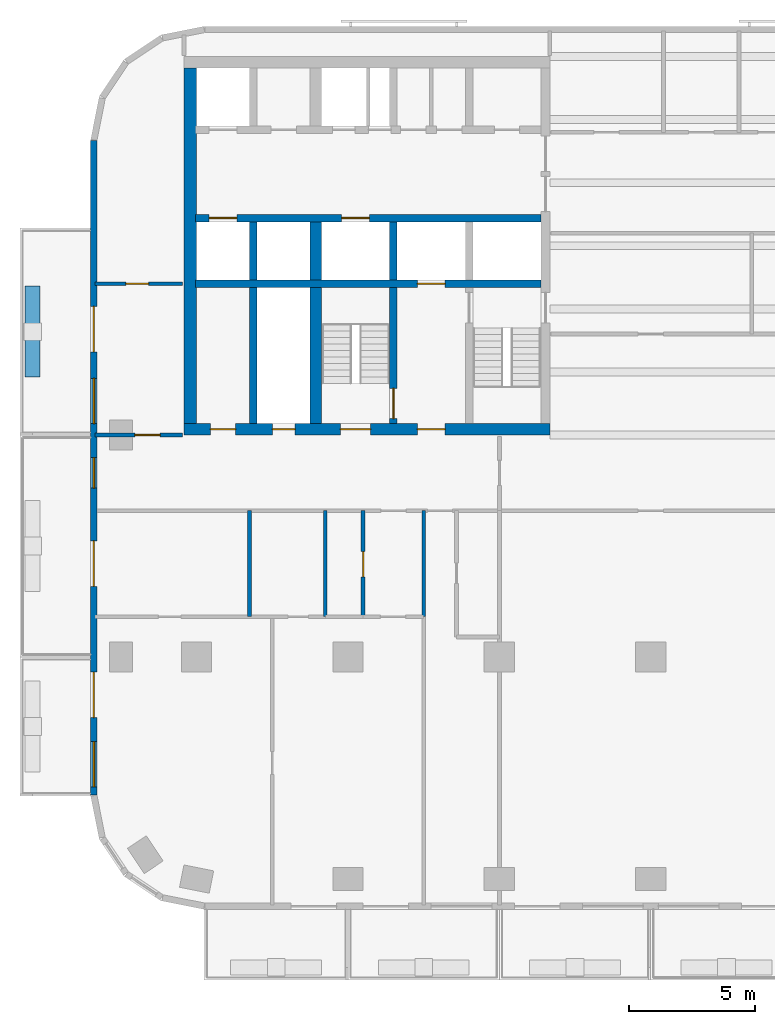
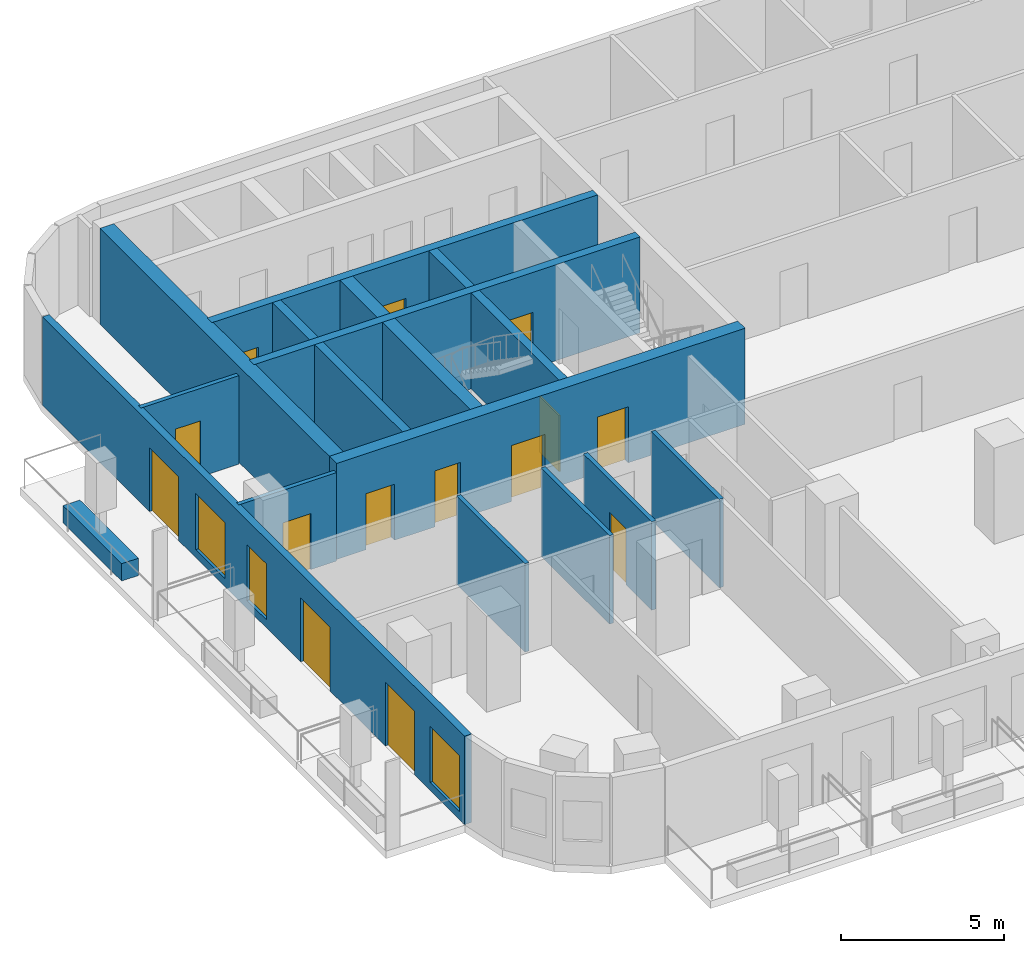
# One storey, part 3 of 11: 18 walls, 14 doors, 3 windows, 17 openings.
"""IFC4 building model written with IfcOpenShell, lengths in metres."""

from ifc_helpers import new_model, si_unit, direction, frame, frame_2d, origin, place, context, subcontext, project, spatial, rectangle, extrude, material, layer, layer_set, type_object, element, fill, save


model = new_model("IFC4")

# Units and contexts
model_context = context("Model", 3, precision=1e-05, world=origin(), true_north=direction((0.0, 1.0)))
body_context = subcontext(model_context, "Body", "Model", "MODEL_VIEW")
ifc_project = project(units=[si_unit("LENGTHUNIT", "METRE"), si_unit("AREAUNIT", "SQUARE_METRE"), si_unit("VOLUMEUNIT", "CUBIC_METRE"), si_unit("PLANEANGLEUNIT", "RADIAN"), si_unit("MASSUNIT", "GRAM", prefix="KILO")], contexts=[model_context])

# Site, building, storey
site_placement = place(None, origin())
site = spatial("IfcSite", under=ifc_project, at=site_placement, CompositionType="ELEMENT")
building_placement = place(site_placement, origin())
building = spatial("IfcBuilding", under=site, at=building_placement, Name="Torana Hotel and Residences", CompositionType="ELEMENT")
storey_placement = place(building_placement, frame((0.0, 0.0, 127.199951171875)))
storey = spatial("IfcBuildingStorey", under=building, at=storey_placement, Name="L32", CompositionType="ELEMENT", Elevation=127.199951171875)

# Wall, openings, doors
ifc_material_1 = material(Name="Concrete C70/85", Category="concrete")
ifc_layer_1 = layer(ifc_material_1, 0.300048828125)
ifc_layer_set_1 = layer_set([ifc_layer_1], Name="CORE WALL 300 C70/85")
wall_type_1 = type_object("IfcWallType", Name="CORE WALL 300 C70/85", PredefinedType="SHEAR", material=ifc_layer_set_1)
wall_1_placement = place(storey_placement, frame((-24.050048828125, -6.39990234375, 0.0), z_axis=(0.0, 0.0, 1.0), x_axis=(1.0, 0.0, 0.0)))
wall_1 = element("IfcWall", 1, at=wall_1_placement, inside=storey, type_object=wall_type_1, Name="Core wall W row-S", PredefinedType="SHEAR", context=body_context, shape_type="SweptSolid", body=[
    extrude(rectangle(XDim=13.699951171875, YDim=0.300048828125, at=frame_2d((6.85009765625, 0.0))), origin(), (0.0, 0.0, 1.0), 3.60009765625),
])
opening_1_placement = place(wall_1_placement, frame((0.550048828125, 0.0, 0.0)))
opening_1 = element("IfcOpeningElement", 2, at=opening_1_placement, cuts=wall_1, Name="Opening LD", PredefinedType="OPENING", context=body_context, shape_type="SweptSolid", body=[
    extrude(rectangle(XDim=1.10009765625, YDim=2.10009765625, at=frame_2d((0.550048828125, 1.050048828125))), frame((0.0, 0.159912109375, 0.0), z_axis=(0.0, -1.0, 0.0), x_axis=(1.0, 0.0, 0.0)), (0.0, 0.0, 1.0), 0.320068359375),
])
opening_2_placement = place(wall_1_placement, frame((5.800048828125, 0.0, 0.0)))
opening_2 = element("IfcOpeningElement", 3, at=opening_2_placement, cuts=wall_1, Name="Opening LD", PredefinedType="OPENING", context=body_context, shape_type="SweptSolid", body=[
    extrude(rectangle(XDim=1.10009765625, YDim=2.10009765625, at=frame_2d((0.550048828125, 1.050048828125))), frame((0.0, 0.159912109375, 0.0), z_axis=(0.0, -1.0, 0.0), x_axis=(1.0, 0.0, 0.0)), (0.0, 0.0, 1.0), 0.320068359375),
])
ifc_material_2 = material(Name="Stainless steel 316", Category="steel")
door_type_1 = type_object("IfcDoorType", Name="LIFT LANDING DOOR LD 1100x2100", OperationType="DOUBLE_DOOR_SLIDING", PredefinedType="USERDEFINED", material=ifc_material_2)
door_1_placement = place(opening_1_placement, origin())
door_1 = element("IfcDoor", 4, at=door_1_placement, inside=storey, type_object=door_type_1, Name="Lift landing door M2 L32", ObjectType="LIFT LANDING DOOR", OperationType="DOUBLE_DOOR_SLIDING", OverallHeight=2.10009765625, OverallWidth=1.10009765625, PredefinedType="USERDEFINED", context=body_context, shape_type="SweptSolid", body=[
    extrude(rectangle(XDim=1.10009765625, YDim=2.10009765625, at=frame_2d((0.550048828125, 1.050048828125))), frame((0.0, 0.02490234375, 0.0), z_axis=(0.0, -1.0, 0.0), x_axis=(1.0, 0.0, 0.0)), (0.0, 0.0, 1.0), 0.050048828125),
])
fill(opening_1, door_1)
door_2_placement = place(opening_2_placement, origin())
door_2 = element("IfcDoor", 5, at=door_2_placement, inside=storey, type_object=door_type_1, Name="Lift landing door SV1 L32", ObjectType="LIFT LANDING DOOR", OperationType="DOUBLE_DOOR_SLIDING", OverallHeight=2.10009765625, OverallWidth=1.10009765625, PredefinedType="USERDEFINED", context=body_context, shape_type="SweptSolid", body=[
    extrude(rectangle(XDim=1.10009765625, YDim=2.10009765625, at=frame_2d((0.550048828125, 1.050048828125))), frame((0.0, 0.02490234375, 0.0), z_axis=(0.0, -1.0, 0.0), x_axis=(1.0, 0.0, 0.0)), (0.0, 0.0, 1.0), 0.050048828125),
])
fill(opening_2, door_2)

# Wall, opening, door
wall_2_placement = place(storey_placement, frame((-24.050048828125, -9.0, 0.0), z_axis=(0.0, 0.0, 1.0), x_axis=(1.0, 0.0, 0.0)))
wall_2 = element("IfcWall", 6, at=wall_2_placement, inside=storey, type_object=wall_type_1, Name="Core wall W band", PredefinedType="SHEAR", context=body_context, shape_type="SweptSolid", body=[
    extrude(rectangle(XDim=13.699951171875, YDim=0.300048828125, at=frame_2d((6.85009765625, 0.0))), origin(), (0.0, 0.0, 1.0), 3.60009765625),
])
opening_3_placement = place(wall_2_placement, frame((8.800048828125, 0.0, 0.0)))
opening_3 = element("IfcOpeningElement", 7, at=opening_3_placement, cuts=wall_2, Name="Opening LD", PredefinedType="OPENING", context=body_context, shape_type="SweptSolid", body=[
    extrude(rectangle(XDim=1.10009765625, YDim=2.10009765625, at=frame_2d((0.550048828125, 1.050048828125))), frame((0.0, 0.159912109375, 0.0), z_axis=(0.0, -1.0, 0.0), x_axis=(1.0, 0.0, 0.0)), (0.0, 0.0, 1.0), 0.320068359375),
])
door_3_placement = place(opening_3_placement, origin())
door_3 = element("IfcDoor", 8, at=door_3_placement, inside=storey, type_object=door_type_1, Name="Lift landing door FF1 L32", ObjectType="LIFT LANDING DOOR", OperationType="DOUBLE_DOOR_SLIDING", OverallHeight=2.10009765625, OverallWidth=1.10009765625, PredefinedType="USERDEFINED", context=body_context, shape_type="SweptSolid", body=[
    extrude(rectangle(XDim=1.10009765625, YDim=2.10009765625, at=frame_2d((0.550048828125, 1.050048828125))), frame((0.0, 0.02490234375, 0.0), z_axis=(0.0, -1.0, 0.0), x_axis=(1.0, 0.0, 0.0)), (0.0, 0.0, 1.0), 0.050048828125),
])
fill(opening_3, door_3)

# Wall
wall_3_placement = place(storey_placement, frame((-16.199951171875, -8.85009765625, 0.0), z_axis=(0.0, 0.0, 1.0), x_axis=(0.0, 1.0, 0.0)))
element("IfcWall", 9, at=wall_3_placement, inside=storey, type_object=wall_type_1, Name="Core wall W x6.05-S", PredefinedType="SHEAR", context=body_context, shape_type="SweptSolid", body=[
    extrude(rectangle(XDim=2.300048828125, YDim=0.300048828125, at=frame_2d((1.14990234375, 0.0))), origin(), (0.0, 0.0, 1.0), 3.60009765625),
])

# Wall, opening, door
wall_4_placement = place(storey_placement, frame((-16.199951171875, -14.550048828125, 0.0), z_axis=(0.0, 0.0, 1.0), x_axis=(0.0, 1.0, 0.0)))
wall_4 = element("IfcWall", 10, at=wall_4_placement, inside=storey, type_object=wall_type_1, Name="Core wall W x6.05-band", PredefinedType="SHEAR", context=body_context, shape_type="SweptSolid", body=[
    extrude(rectangle(XDim=5.400146484375, YDim=0.300048828125, at=frame_2d((2.7001953125, 0.0))), origin(), (0.0, 0.0, 1.0), 3.60009765625),
])
opening_4_placement = place(wall_4_placement, frame((0.199951171875, 0.0, 0.0)))
opening_4 = element("IfcOpeningElement", 11, at=opening_4_placement, cuts=wall_4, Name="Opening L32-15", PredefinedType="OPENING", context=body_context, shape_type="SweptSolid", body=[
    extrude(rectangle(XDim=1.199951171875, YDim=2.10009765625, at=frame_2d((0.60009765625, 1.050048828125))), frame((0.0, 0.159912109375, 0.0), z_axis=(0.0, -1.0, 0.0), x_axis=(1.0, 0.0, 0.0)), (0.0, 0.0, 1.0), 0.320068359375),
])
ifc_material_3 = material(Name="Steel S235", Category="steel")
door_type_2 = type_object("IfcDoorType", Name="STAIR FIRE DOOR D3 1200x2100", OperationType="SINGLE_SWING_LEFT", PredefinedType="DOOR", material=ifc_material_3)
door_4_placement = place(opening_4_placement, origin())
door_4 = element("IfcDoor", 12, at=door_4_placement, inside=storey, type_object=door_type_2, Name="Stair-B-lobby door L32", OperationType="SINGLE_SWING_RIGHT", OverallHeight=2.10009765625, OverallWidth=1.199951171875, PredefinedType="DOOR", context=body_context, shape_type="SweptSolid", body=[
    extrude(rectangle(XDim=1.199951171875, YDim=2.10009765625, at=frame_2d((0.60009765625, 1.050048828125))), frame((0.0, 0.02490234375, 0.0), z_axis=(0.0, -1.0, 0.0), x_axis=(1.0, 0.0, 0.0)), (0.0, 0.0, 1.0), 0.050048828125),
])
fill(opening_4, door_4)

# Walls
wall_5_placement = place(storey_placement, frame((-21.75, -8.85009765625, 0.0), z_axis=(0.0, 0.0, 1.0), x_axis=(0.0, 1.0, 0.0)))
element("IfcWall", 13, at=wall_5_placement, inside=storey, type_object=wall_type_1, Name="Core wall W mm-S", PredefinedType="SHEAR", context=body_context, shape_type="SweptSolid", body=[
    extrude(rectangle(XDim=2.300048828125, YDim=0.300048828125, at=frame_2d((1.14990234375, 0.0))), origin(), (0.0, 0.0, 1.0), 3.60009765625),
])
wall_6_placement = place(storey_placement, frame((-21.75, -14.550048828125, 0.0), z_axis=(0.0, 0.0, 1.0), x_axis=(0.0, 1.0, 0.0)))
element("IfcWall", 14, at=wall_6_placement, inside=storey, type_object=wall_type_1, Name="Core wall W mm-band", PredefinedType="SHEAR", context=body_context, shape_type="SweptSolid", body=[
    extrude(rectangle(XDim=5.400146484375, YDim=0.300048828125, at=frame_2d((2.7001953125, 0.0))), origin(), (0.0, 0.0, 1.0), 3.60009765625),
])

# Wall, openings, doors
ifc_material_4 = material(Name="Concrete C70/85", Category="concrete")
ifc_layer_2 = layer(ifc_material_4, 0.449951171875)
ifc_layer_set_2 = layer_set([ifc_layer_2], Name="CORE WALL 450 C70/85")
wall_type_2 = type_object("IfcWallType", Name="CORE WALL 450 C70/85", PredefinedType="SHEAR", material=ifc_layer_set_2)
wall_7_placement = place(storey_placement, frame((-24.5, -14.77490234375, 0.0), z_axis=(0.0, 0.0, 1.0), x_axis=(1.0, 0.0, 0.0)))
wall_7 = element("IfcWall", 15, at=wall_7_placement, inside=storey, type_object=wall_type_2, Name="Core wall W front", PredefinedType="SHEAR", context=body_context, shape_type="SweptSolid", body=[
    extrude(rectangle(XDim=14.5, YDim=0.449951171875, at=frame_2d((7.25, 0.0))), origin(), (0.0, 0.0, 1.0), 3.60009765625),
])
opening_5_placement = place(wall_7_placement, frame((6.199951171875, 0.0, 0.0)))
opening_5 = element("IfcOpeningElement", 16, at=opening_5_placement, cuts=wall_7, Name="Opening L32-04", PredefinedType="OPENING", context=body_context, shape_type="SweptSolid", body=[
    extrude(rectangle(XDim=1.199951171875, YDim=2.10009765625, at=frame_2d((0.60009765625, 1.050048828125))), frame((0.0, 0.23486328125, 0.0), z_axis=(0.0, -1.0, 0.0), x_axis=(1.0, 0.0, 0.0)), (0.0, 0.0, 1.0), 0.469970703125),
])
opening_6_placement = place(wall_7_placement, frame((9.25, 0.0, 0.0)))
opening_6 = element("IfcOpeningElement", 17, at=opening_6_placement, cuts=wall_7, Name="Opening L32-05", PredefinedType="OPENING", context=body_context, shape_type="SweptSolid", body=[
    extrude(rectangle(XDim=1.10009765625, YDim=2.10009765625, at=frame_2d((0.550048828125, 1.050048828125))), frame((0.0, 0.23486328125, 0.0), z_axis=(0.0, -1.0, 0.0), x_axis=(1.0, 0.0, 0.0)), (0.0, 0.0, 1.0), 0.469970703125),
])
opening_7_placement = place(wall_7_placement, frame((3.5, 0.0, 0.0)))
opening_7 = element("IfcOpeningElement", 18, at=opening_7_placement, cuts=wall_7, Name="Opening L32-06", PredefinedType="OPENING", context=body_context, shape_type="SweptSolid", body=[
    extrude(rectangle(XDim=0.89990234375, YDim=2.10009765625, at=frame_2d((0.449951171875, 1.050048828125))), frame((0.0, 0.23486328125, 0.0), z_axis=(0.0, -1.0, 0.0), x_axis=(1.0, 0.0, 0.0)), (0.0, 0.0, 1.0), 0.469970703125),
])
opening_8_placement = place(wall_7_placement, frame((1.050048828125, 0.0, 0.0)))
opening_8 = element("IfcOpeningElement", 19, at=opening_8_placement, cuts=wall_7, Name="Opening L32-07", PredefinedType="OPENING", context=body_context, shape_type="SweptSolid", body=[
    extrude(rectangle(XDim=1.0, YDim=2.10009765625, at=frame_2d((0.5, 1.050048828125))), frame((0.0, 0.23486328125, 0.0), z_axis=(0.0, -1.0, 0.0), x_axis=(1.0, 0.0, 0.0)), (0.0, 0.0, 1.0), 0.469970703125),
])
ifc_material_5 = material(Name="Steel S235", Category="steel")
door_type_3 = type_object("IfcDoorType", Name="CORE ROOM FIRE DOOR D14 1000x2100", OperationType="SINGLE_SWING_LEFT", PredefinedType="DOOR", material=ifc_material_5)
door_5_placement = place(opening_8_placement, origin())
door_5 = element("IfcDoor", 20, at=door_5_placement, inside=storey, type_object=door_type_3, Name="M-Room door L32", OperationType="SINGLE_SWING_RIGHT", OverallHeight=2.10009765625, OverallWidth=1.0, PredefinedType="DOOR", context=body_context, shape_type="SweptSolid", body=[
    extrude(rectangle(XDim=1.0, YDim=2.10009765625, at=frame_2d((0.5, 1.050048828125))), frame((0.0, 0.02490234375, 0.0), z_axis=(0.0, -1.0, 0.0), x_axis=(1.0, 0.0, 0.0)), (0.0, 0.0, 1.0), 0.050048828125),
])
fill(opening_8, door_5)
ifc_material_6 = material(Name="Steel S235", Category="steel")
door_type_4 = type_object("IfcDoorType", Name="FIRE-FIGHTING LOBBY DOOR D8 1100x2100", OperationType="SINGLE_SWING_LEFT", PredefinedType="DOOR", material=ifc_material_6)
door_6_placement = place(opening_6_placement, origin())
door_6 = element("IfcDoor", 21, at=door_6_placement, inside=storey, type_object=door_type_4, Name="FF-lobby door L32", OperationType="SINGLE_SWING_RIGHT", OverallHeight=2.10009765625, OverallWidth=1.10009765625, PredefinedType="DOOR", context=body_context, shape_type="SweptSolid", body=[
    extrude(rectangle(XDim=1.10009765625, YDim=2.10009765625, at=frame_2d((0.550048828125, 1.050048828125))), frame((0.0, 0.02490234375, 0.0), z_axis=(0.0, -1.0, 0.0), x_axis=(1.0, 0.0, 0.0)), (0.0, 0.0, 1.0), 0.050048828125),
])
fill(opening_6, door_6)
ifc_material_7 = material(Name="Steel S235", Category="steel")
door_type_5 = type_object("IfcDoorType", Name="RISER ACCESS DOOR D5 900x2100", OperationType="SINGLE_SWING_LEFT", PredefinedType="DOOR", material=ifc_material_7)
door_7_placement = place(opening_7_placement, origin())
door_7 = element("IfcDoor", 22, at=door_7_placement, inside=storey, type_object=door_type_5, Name="M-Riser door L32", OperationType="SINGLE_SWING_RIGHT", OverallHeight=2.10009765625, OverallWidth=0.89990234375, PredefinedType="DOOR", context=body_context, shape_type="SweptSolid", body=[
    extrude(rectangle(XDim=0.89990234375, YDim=2.10009765625, at=frame_2d((0.449951171875, 1.050048828125))), frame((0.0, 0.02490234375, 0.0), z_axis=(0.0, -1.0, 0.0), x_axis=(1.0, 0.0, 0.0)), (0.0, 0.0, 1.0), 0.050048828125),
])
fill(opening_7, door_7)
door_8_placement = place(opening_5_placement, origin())
door_8 = element("IfcDoor", 23, at=door_8_placement, inside=storey, type_object=door_type_2, Name="Stair-B door L32", OperationType="SINGLE_SWING_RIGHT", OverallHeight=2.10009765625, OverallWidth=1.199951171875, PredefinedType="DOOR", context=body_context, shape_type="SweptSolid", body=[
    extrude(rectangle(XDim=1.199951171875, YDim=2.10009765625, at=frame_2d((0.60009765625, 1.050048828125))), frame((0.0, 0.02490234375, 0.0), z_axis=(0.0, -1.0, 0.0), x_axis=(1.0, 0.0, 0.0)), (0.0, 0.0, 1.0), 0.050048828125),
])
fill(opening_5, door_8)

# Walls
wall_8_placement = place(storey_placement, frame((-19.27490234375, -8.85009765625, 0.0), z_axis=(0.0, 0.0, 1.0), x_axis=(0.0, 1.0, 0.0)))
element("IfcWall", 24, at=wall_8_placement, inside=storey, type_object=wall_type_2, Name="Core wall W hm-S", PredefinedType="SHEAR", context=body_context, shape_type="SweptSolid", body=[
    extrude(rectangle(XDim=2.300048828125, YDim=0.449951171875, at=frame_2d((1.14990234375, 0.0))), origin(), (0.0, 0.0, 1.0), 3.60009765625),
])
wall_9_placement = place(storey_placement, frame((-19.27490234375, -14.550048828125, 0.0), z_axis=(0.0, 0.0, 1.0), x_axis=(0.0, 1.0, 0.0)))
element("IfcWall", 25, at=wall_9_placement, inside=storey, type_object=wall_type_2, Name="Core wall W hm-band", PredefinedType="SHEAR", context=body_context, shape_type="SweptSolid", body=[
    extrude(rectangle(XDim=5.400146484375, YDim=0.449951171875, at=frame_2d((2.7001953125, 0.0))), origin(), (0.0, 0.0, 1.0), 3.60009765625),
])
ifc_material_8 = material(Name="Concrete C70/85", Category="concrete")
ifc_layer_3 = layer(ifc_material_8, 0.5)
ifc_layer_set_3 = layer_set([ifc_layer_3], Name="CORE WALL 500 C70/85")
wall_type_3 = type_object("IfcWallType", Name="CORE WALL 500 C70/85", PredefinedType="SHEAR", material=ifc_layer_set_3)
wall_10_placement = place(storey_placement, frame((-24.25, -14.550048828125, 0.0), z_axis=(0.0, 0.0, 1.0), x_axis=(0.0, 1.0, 0.0)))
element("IfcWall", 26, at=wall_10_placement, inside=storey, type_object=wall_type_3, Name="Core wall W outer", PredefinedType="SHEAR", context=body_context, shape_type="SweptSolid", body=[
    extrude(rectangle(XDim=14.10009765625, YDim=0.5, at=frame_2d((7.050048828125, 0.0))), origin(), (0.0, 0.0, 1.0), 3.60009765625),
])

# Wall, openings, doors, windows
ifc_material_9 = material(Name="Black aluminium composite panel", Category="aluminium")
ifc_layer_4 = layer(ifc_material_9, 0.00390625, Name="Cladding", Category="cladding")
ifc_material_10 = material(Name="Ventilated air cavity")
ifc_layer_5 = layer(ifc_material_10, 0.0400390625, Name="Ventilated cavity", Category="cavity")
ifc_material_11 = material(Name="Mineral wool insulation")
ifc_layer_6 = layer(ifc_material_11, 0.090087890625, Name="Insulation", Category="insulation")
ifc_material_12 = material(Name="Steel S280GD", Category="steel")
ifc_layer_7 = layer(ifc_material_12, 0.092041015625, Name="Steel stud frame", Category="structure")
ifc_material_13 = material(Name="Fire rated plasterboard")
ifc_layer_8 = layer(ifc_material_13, 0.011962890625, Name="Inner board", Category="finish")
ifc_layer_9 = layer(ifc_material_13, 0.011962890625, Name="Second board", Category="finish")
ifc_layer_set_4 = layer_set([ifc_layer_4, ifc_layer_5, ifc_layer_6, ifc_layer_7, ifc_layer_8, ifc_layer_9], Name="EW1 EXTERNAL WALL BLACK METAL CLAD 250")
wall_type_4 = type_object("IfcWallType", Name="EW1 EXTERNAL WALL BLACK METAL CLAD 250", PredefinedType="SOLIDWALL", material=ifc_layer_set_4)
wall_11_placement = place(storey_placement, frame((-28.074951171875, -3.32470703125, 0.0), z_axis=(0.0, 0.0, 1.0), x_axis=(0.0, -1.0, 0.0)))
wall_11 = element("IfcWall", 27, at=wall_11_placement, inside=storey, type_object=wall_type_4, Name="External wall L32 e0.9", PredefinedType="SOLIDWALL", context=body_context, shape_type="SweptSolid", body=[
    extrude(rectangle(XDim=25.95068359375, YDim=0.25, at=frame_2d((12.975341796875, 0.0))), origin(), (0.0, 0.0, 1.0), 3.320068359375),
])
opening_9_placement = place(wall_11_placement, frame((6.575439453125, 0.0, 0.0)))
opening_9 = element("IfcOpeningElement", 28, at=opening_9_placement, cuts=wall_11, Name="Opening L32-E12", PredefinedType="OPENING", context=body_context, shape_type="SweptSolid", body=[
    extrude(rectangle(XDim=1.800048828125, YDim=2.39990234375, at=frame_2d((0.89990234375, 1.199951171875))), frame((0.0, 0.135009765625, 0.0), z_axis=(0.0, -1.0, 0.0), x_axis=(1.0, 0.0, 0.0)), (0.0, 0.0, 1.0), 0.27001953125),
])
opening_10_placement = place(wall_11_placement, frame((9.42529296875, 0.0, 0.300048828125)))
opening_10 = element("IfcOpeningElement", 29, at=opening_10_placement, cuts=wall_11, Name="Opening W2", PredefinedType="OPENING", context=body_context, shape_type="SweptSolid", body=[
    extrude(rectangle(XDim=1.800048828125, YDim=2.10009765625, at=frame_2d((0.89990234375, 1.050048828125))), frame((0.0, 0.135009765625, 0.0), z_axis=(0.0, -1.0, 0.0), x_axis=(1.0, 0.0, 0.0)), (0.0, 0.0, 1.0), 0.27001953125),
])
opening_11_placement = place(wall_11_placement, frame((12.575439453125, 0.0, 0.300048828125)))
opening_11 = element("IfcOpeningElement", 30, at=opening_11_placement, cuts=wall_11, Name="Opening W7", PredefinedType="OPENING", context=body_context, shape_type="SweptSolid", body=[
    extrude(rectangle(XDim=1.199951171875, YDim=2.10009765625, at=frame_2d((0.60009765625, 1.050048828125))), frame((0.0, 0.135009765625, 0.0), z_axis=(0.0, -1.0, 0.0), x_axis=(1.0, 0.0, 0.0)), (0.0, 0.0, 1.0), 0.27001953125),
])
opening_12_placement = place(wall_11_placement, frame((15.87548828125, 0.0, 0.0)))
opening_12 = element("IfcOpeningElement", 31, at=opening_12_placement, cuts=wall_11, Name="Opening L32-E13", PredefinedType="OPENING", context=body_context, shape_type="SweptSolid", body=[
    extrude(rectangle(XDim=1.800048828125, YDim=2.39990234375, at=frame_2d((0.89990234375, 1.199951171875))), frame((0.0, 0.135009765625, 0.0), z_axis=(0.0, -1.0, 0.0), x_axis=(1.0, 0.0, 0.0)), (0.0, 0.0, 1.0), 0.27001953125),
])
opening_13_placement = place(wall_11_placement, frame((21.075439453125, 0.0, 0.0)))
opening_13 = element("IfcOpeningElement", 32, at=opening_13_placement, cuts=wall_11, Name="Opening L32-E14", PredefinedType="OPENING", context=body_context, shape_type="SweptSolid", body=[
    extrude(rectangle(XDim=1.800048828125, YDim=2.39990234375, at=frame_2d((0.89990234375, 1.199951171875))), frame((0.0, 0.135009765625, 0.0), z_axis=(0.0, -1.0, 0.0), x_axis=(1.0, 0.0, 0.0)), (0.0, 0.0, 1.0), 0.27001953125),
])
opening_14_placement = place(wall_11_placement, frame((23.825439453125, 0.0, 0.300048828125)))
opening_14 = element("IfcOpeningElement", 33, at=opening_14_placement, cuts=wall_11, Name="Opening W2", PredefinedType="OPENING", context=body_context, shape_type="SweptSolid", body=[
    extrude(rectangle(XDim=1.800048828125, YDim=2.10009765625, at=frame_2d((0.89990234375, 1.050048828125))), frame((0.0, 0.135009765625, 0.0), z_axis=(0.0, -1.0, 0.0), x_axis=(1.0, 0.0, 0.0)), (0.0, 0.0, 1.0), 0.27001953125),
])
ifc_material_14 = material(Name="Dark glass in black aluminium frame", Category="aluminium")
door_type_6 = type_object("IfcDoorType", Name="DB1 BALCONY DOOR 1800x2400", OperationType="DOUBLE_DOOR_SINGLE_SWING", PredefinedType="DOOR", material=ifc_material_14)
door_9_placement = place(opening_9_placement, origin())
door_9 = element("IfcDoor", 34, at=door_9_placement, inside=storey, type_object=door_type_6, Name="Balcony door L32", OperationType="DOUBLE_DOOR_SINGLE_SWING", OverallHeight=2.39990234375, OverallWidth=1.800048828125, PredefinedType="DOOR", context=body_context, shape_type="SweptSolid", body=[
    extrude(rectangle(XDim=1.800048828125, YDim=2.39990234375, at=frame_2d((0.89990234375, 1.199951171875))), frame((0.0, 0.02490234375, 0.0), z_axis=(0.0, -1.0, 0.0), x_axis=(1.0, 0.0, 0.0)), (0.0, 0.0, 1.0), 0.050048828125),
])
fill(opening_9, door_9)
door_10_placement = place(opening_12_placement, origin())
door_10 = element("IfcDoor", 35, at=door_10_placement, inside=storey, type_object=door_type_6, Name="Balcony door L32", OperationType="DOUBLE_DOOR_SINGLE_SWING", OverallHeight=2.39990234375, OverallWidth=1.800048828125, PredefinedType="DOOR", context=body_context, shape_type="SweptSolid", body=[
    extrude(rectangle(XDim=1.800048828125, YDim=2.39990234375, at=frame_2d((0.89990234375, 1.199951171875))), frame((0.0, 0.02490234375, 0.0), z_axis=(0.0, -1.0, 0.0), x_axis=(1.0, 0.0, 0.0)), (0.0, 0.0, 1.0), 0.050048828125),
])
fill(opening_12, door_10)
door_11_placement = place(opening_13_placement, origin())
door_11 = element("IfcDoor", 36, at=door_11_placement, inside=storey, type_object=door_type_6, Name="Balcony door L32", OperationType="DOUBLE_DOOR_SINGLE_SWING", OverallHeight=2.39990234375, OverallWidth=1.800048828125, PredefinedType="DOOR", context=body_context, shape_type="SweptSolid", body=[
    extrude(rectangle(XDim=1.800048828125, YDim=2.39990234375, at=frame_2d((0.89990234375, 1.199951171875))), frame((0.0, 0.02490234375, 0.0), z_axis=(0.0, -1.0, 0.0), x_axis=(1.0, 0.0, 0.0)), (0.0, 0.0, 1.0), 0.050048828125),
])
fill(opening_13, door_11)
ifc_material_15 = material(Name="Dark glass in black aluminium frame", Category="aluminium")
window_type_1 = type_object("IfcWindowType", Name="W2 HOTEL ROOM WINDOW NARROW 1800x2100", PartitioningType="SINGLE_PANEL", PredefinedType="WINDOW", material=ifc_material_15)
window_1_placement = place(opening_10_placement, origin())
window_1 = element("IfcWindow", 37, at=window_1_placement, inside=storey, type_object=window_type_1, Name="Window L32", OverallHeight=2.10009765625, OverallWidth=1.800048828125, PartitioningType="SINGLE_PANEL", PredefinedType="WINDOW", context=body_context, shape_type="SweptSolid", body=[
    extrude(rectangle(XDim=1.800048828125, YDim=2.10009765625, at=frame_2d((0.89990234375, 1.050048828125))), frame((0.0, 0.030029296875, 0.0), z_axis=(0.0, -1.0, 0.0), x_axis=(1.0, 0.0, 0.0)), (0.0, 0.0, 1.0), 0.06005859375),
])
fill(opening_10, window_1)
window_2_placement = place(opening_14_placement, origin())
window_2 = element("IfcWindow", 38, at=window_2_placement, inside=storey, type_object=window_type_1, Name="Window L32", OverallHeight=2.10009765625, OverallWidth=1.800048828125, PartitioningType="SINGLE_PANEL", PredefinedType="WINDOW", context=body_context, shape_type="SweptSolid", body=[
    extrude(rectangle(XDim=1.800048828125, YDim=2.10009765625, at=frame_2d((0.89990234375, 1.050048828125))), frame((0.0, 0.030029296875, 0.0), z_axis=(0.0, -1.0, 0.0), x_axis=(1.0, 0.0, 0.0)), (0.0, 0.0, 1.0), 0.06005859375),
])
fill(opening_14, window_2)
ifc_material_16 = material(Name="Dark glass in black aluminium frame", Category="aluminium")
window_type_2 = type_object("IfcWindowType", Name="W7 HOTEL CORRIDOR WINDOW 1200x2100", PartitioningType="SINGLE_PANEL", PredefinedType="WINDOW", material=ifc_material_16)
window_3_placement = place(opening_11_placement, origin())
window_3 = element("IfcWindow", 39, at=window_3_placement, inside=storey, type_object=window_type_2, Name="Window L32", OverallHeight=2.10009765625, OverallWidth=1.199951171875, PartitioningType="SINGLE_PANEL", PredefinedType="WINDOW", context=body_context, shape_type="SweptSolid", body=[
    extrude(rectangle(XDim=1.199951171875, YDim=2.10009765625, at=frame_2d((0.60009765625, 1.050048828125))), frame((0.0, 0.030029296875, 0.0), z_axis=(0.0, -1.0, 0.0), x_axis=(1.0, 0.0, 0.0)), (0.0, 0.0, 1.0), 0.06005859375),
])
fill(opening_11, window_3)

# Wall
ifc_material_17 = material(Name="Gypsum plaster")
ifc_layer_10 = layer(ifc_material_17, 0.014892578125, Name="Plaster", Category="finish")
ifc_material_18 = material(Name="Concrete blockwork", Category="masonry")
ifc_layer_11 = layer(ifc_material_18, 0.1201171875, Name="Blockwork", Category="structure")
ifc_layer_12 = layer(ifc_material_17, 0.014892578125, Name="Plaster", Category="finish")
ifc_layer_set_5 = layer_set([ifc_layer_10, ifc_layer_11, ifc_layer_12], Name="FIRE PARTITION 150 BLOCKWORK")
wall_type_5 = type_object("IfcWallType", Name="FIRE PARTITION 150 BLOCKWORK", PredefinedType="PARTITIONING", material=ifc_layer_set_5)
wall_12_placement = place(storey_placement, frame((-15.0, -22.199951171875, 0.0), z_axis=(0.0, 0.0, 1.0), x_axis=(0.0, 1.0, 0.0)))
element("IfcWall", 40, at=wall_12_placement, inside=storey, type_object=wall_type_5, Name="Partition L32", PredefinedType="PARTITIONING", context=body_context, shape_type="SweptSolid", body=[
    extrude(rectangle(XDim=4.199951171875, YDim=0.14990234375, at=frame_2d((2.10009765625, 0.0))), origin(), (0.0, 0.0, 1.0), 3.320068359375),
])

# Wall, opening, door
wall_13_placement = place(storey_placement, frame((-17.39990234375, -22.199951171875, 0.0), z_axis=(0.0, 0.0, 1.0), x_axis=(0.0, 1.0, 0.0)))
wall_13 = element("IfcWall", 41, at=wall_13_placement, inside=storey, type_object=wall_type_5, Name="Partition L32", PredefinedType="PARTITIONING", context=body_context, shape_type="SweptSolid", body=[
    extrude(rectangle(XDim=4.199951171875, YDim=0.14990234375, at=frame_2d((2.10009765625, 0.0))), origin(), (0.0, 0.0, 1.0), 3.320068359375),
])
opening_15_placement = place(wall_13_placement, frame((1.580078125, 0.0, 0.0)))
opening_15 = element("IfcOpeningElement", 42, at=opening_15_placement, cuts=wall_13, Name="Opening L32-54", PredefinedType="OPENING", context=body_context, shape_type="SweptSolid", body=[
    extrude(rectangle(XDim=1.0, YDim=2.10009765625, at=frame_2d((0.5, 1.050048828125))), frame((0.0, 0.0849609375, 0.0), z_axis=(0.0, -1.0, 0.0), x_axis=(1.0, 0.0, 0.0)), (0.0, 0.0, 1.0), 0.169921875),
])
ifc_material_19 = material(Name="Steel S235", Category="steel")
door_type_7 = type_object("IfcDoorType", Name="ENTRY FIRE DOOR D6 1000x2100", OperationType="SINGLE_SWING_LEFT", PredefinedType="DOOR", material=ifc_material_19)
door_12_placement = place(opening_15_placement, origin())
door_12 = element("IfcDoor", 43, at=door_12_placement, inside=storey, type_object=door_type_7, Name="Door L32", OperationType="SINGLE_SWING_RIGHT", OverallHeight=2.10009765625, OverallWidth=1.0, PredefinedType="DOOR", context=body_context, shape_type="SweptSolid", body=[
    extrude(rectangle(XDim=1.0, YDim=2.10009765625, at=frame_2d((0.5, 1.050048828125))), frame((0.0, 0.02490234375, 0.0), z_axis=(0.0, -1.0, 0.0), x_axis=(1.0, 0.0, 0.0)), (0.0, 0.0, 1.0), 0.050048828125),
])
fill(opening_15, door_12)

wall_14_placement = place(storey_placement, frame((-28.02001953125, -15.0, 0.0), z_axis=(0.0, 0.0, 1.0), x_axis=(1.0, 0.0, 0.0)))
wall_14 = element("IfcWall", 44, at=wall_14_placement, inside=storey, type_object=wall_type_5, Name="Partition L32", PredefinedType="PARTITIONING", context=body_context, shape_type="SweptSolid", body=[
    extrude(rectangle(XDim=3.469970703125, YDim=0.14990234375, at=frame_2d((1.73486328125, 0.0))), origin(), (0.0, 0.0, 1.0), 3.320068359375),
])
opening_16_placement = place(wall_14_placement, frame((1.570068359375, 0.0, 0.0)))
opening_16 = element("IfcOpeningElement", 45, at=opening_16_placement, cuts=wall_14, Name="Opening L32-34", PredefinedType="OPENING", context=body_context, shape_type="SweptSolid", body=[
    extrude(rectangle(XDim=1.0, YDim=2.10009765625, at=frame_2d((0.5, 1.050048828125))), frame((0.0, 0.0849609375, 0.0), z_axis=(0.0, -1.0, 0.0), x_axis=(1.0, 0.0, 0.0)), (0.0, 0.0, 1.0), 0.169921875),
])
door_13_placement = place(opening_16_placement, origin())
door_13 = element("IfcDoor", 46, at=door_13_placement, inside=storey, type_object=door_type_3, Name="Door L32", OperationType="SINGLE_SWING_RIGHT", OverallHeight=2.10009765625, OverallWidth=1.0, PredefinedType="DOOR", context=body_context, shape_type="SweptSolid", body=[
    extrude(rectangle(XDim=1.0, YDim=2.10009765625, at=frame_2d((0.5, 1.050048828125))), frame((0.0, 0.02490234375, 0.0), z_axis=(0.0, -1.0, 0.0), x_axis=(1.0, 0.0, 0.0)), (0.0, 0.0, 1.0), 0.050048828125),
])
fill(opening_16, door_13)

# Wall
ifc_material_20 = material(Name="Gypsum plasterboard")
ifc_layer_13 = layer(ifc_material_20, 0.012451171875, Name="Plasterboard", Category="finish")
ifc_layer_14 = layer(ifc_material_20, 0.012451171875, Name="Plasterboard", Category="finish")
ifc_layer_15 = layer(ifc_material_12, 0.10009765625, Name="Steel studs with mineral wool", Category="insulation")
ifc_layer_16 = layer(ifc_material_20, 0.012451171875, Name="Plasterboard", Category="finish")
ifc_layer_17 = layer(ifc_material_20, 0.012451171875, Name="Plasterboard", Category="finish")
ifc_layer_set_6 = layer_set([ifc_layer_13, ifc_layer_14, ifc_layer_15, ifc_layer_16, ifc_layer_17], Name="PARTITION 150 PLASTERBOARD")
wall_type_6 = type_object("IfcWallType", Name="PARTITION 150 PLASTERBOARD", PredefinedType="PARTITIONING", material=ifc_layer_set_6)
wall_15_placement = place(storey_placement, frame((-21.89990234375, -22.199951171875, 0.0), z_axis=(0.0, 0.0, 1.0), x_axis=(0.0, 1.0, 0.0)))
element("IfcWall", 47, at=wall_15_placement, inside=storey, type_object=wall_type_6, Name="Partition L32", PredefinedType="PARTITIONING", context=body_context, shape_type="SweptSolid", body=[
    extrude(rectangle(XDim=4.199951171875, YDim=0.14990234375, at=frame_2d((2.10009765625, 0.0))), origin(), (0.0, 0.0, 1.0), 3.320068359375),
])

# Wall, opening, door
wall_16_placement = place(storey_placement, frame((-28.02001953125, -9.0, 0.0), z_axis=(0.0, 0.0, 1.0), x_axis=(1.0, 0.0, 0.0)))
wall_16 = element("IfcWall", 48, at=wall_16_placement, inside=storey, type_object=wall_type_6, Name="Partition L32", PredefinedType="PARTITIONING", context=body_context, shape_type="SweptSolid", body=[
    extrude(rectangle(XDim=3.469970703125, YDim=0.14990234375, at=frame_2d((1.73486328125, 0.0))), origin(), (0.0, 0.0, 1.0), 3.320068359375),
])
opening_17_placement = place(wall_16_placement, frame((1.219970703125, 0.0, 0.0)))
opening_17 = element("IfcOpeningElement", 49, at=opening_17_placement, cuts=wall_16, Name="Opening L32-64", PredefinedType="OPENING", context=body_context, shape_type="SweptSolid", body=[
    extrude(rectangle(XDim=0.89990234375, YDim=2.10009765625, at=frame_2d((0.449951171875, 1.050048828125))), frame((0.0, 0.0849609375, 0.0), z_axis=(0.0, -1.0, 0.0), x_axis=(1.0, 0.0, 0.0)), (0.0, 0.0, 1.0), 0.169921875),
])
ifc_material_21 = material(Name="Timber door, oiled ash", Category="wood")
door_type_8 = type_object("IfcDoorType", Name="ROOM DOOR D7 900x2100", OperationType="SINGLE_SWING_LEFT", PredefinedType="DOOR", material=ifc_material_21)
door_14_placement = place(opening_17_placement, origin())
door_14 = element("IfcDoor", 50, at=door_14_placement, inside=storey, type_object=door_type_8, Name="Door L32", OperationType="SINGLE_SWING_RIGHT", OverallHeight=2.10009765625, OverallWidth=0.89990234375, PredefinedType="DOOR", context=body_context, shape_type="SweptSolid", body=[
    extrude(rectangle(XDim=0.89990234375, YDim=2.10009765625, at=frame_2d((0.449951171875, 1.050048828125))), frame((0.0, 0.02490234375, 0.0), z_axis=(0.0, -1.0, 0.0), x_axis=(1.0, 0.0, 0.0)), (0.0, 0.0, 1.0), 0.050048828125),
])
fill(opening_17, door_14)

# Walls
ifc_material_22 = material(Name="Concrete C40/50 precast", Category="concrete")
ifc_layer_18 = layer(ifc_material_22, 0.10009765625, Name="Planter shell", Category="structure")
ifc_material_23 = material(Name="Root resistant membrane")
ifc_layer_19 = layer(ifc_material_23, 0.00390625, Name="Waterproofing membrane", Category="membrane")
ifc_material_24 = material(Name="Drainage board with filter fleece")
ifc_layer_20 = layer(ifc_material_24, 0.02001953125, Name="Drainage board", Category="drainage")
ifc_material_25 = material(Name="Growing medium")
ifc_layer_21 = layer(ifc_material_25, 0.47607421875, Name="Planting substrate", Category="soil")
ifc_layer_set_7 = layer_set([ifc_layer_18, ifc_layer_19, ifc_layer_20, ifc_layer_21], Name="PL1 BALCONY PLANTER 600")
wall_type_7 = type_object("IfcWallType", Name="PL1 BALCONY PLANTER 600", PredefinedType="USERDEFINED", material=ifc_layer_set_7)
wall_17_placement = place(storey_placement, frame((-30.5, -12.699951171875, 0.0), z_axis=(0.0, 0.0, 1.0), x_axis=(0.0, 1.0, 0.0)))
element("IfcWall", 51, at=wall_17_placement, inside=storey, type_object=wall_type_7, Name="Planter 11", ObjectType="PLANTER", PredefinedType="USERDEFINED", context=body_context, shape_type="SweptSolid", body=[
    extrude(rectangle(XDim=3.599853515625, YDim=0.60009765625, at=frame_2d((1.7998046875, 0.0))), origin(), (0.0, 0.0, 1.0), 0.650146484375),
])
ifc_material_26 = material(Name="Ceramic tile on adhesive")
ifc_layer_22 = layer(ifc_material_26, 0.010009765625, Name="Wall tile", Category="finish")
ifc_material_27 = material(Name="Cement render")
ifc_layer_23 = layer(ifc_material_27, 0.010009765625, Name="Render", Category="finish")
ifc_layer_24 = layer(ifc_material_18, 0.110107421875, Name="Blockwork", Category="structure")
ifc_layer_25 = layer(ifc_material_27, 0.010009765625, Name="Render", Category="finish")
ifc_layer_26 = layer(ifc_material_26, 0.010009765625, Name="Wall tile", Category="finish")
ifc_layer_set_8 = layer_set([ifc_layer_22, ifc_layer_23, ifc_layer_24, ifc_layer_25, ifc_layer_26], Name="WC PARTITION 150")
wall_type_8 = type_object("IfcWallType", Name="WC PARTITION 150", PredefinedType="PLUMBINGWALL", material=ifc_layer_set_8)
wall_18_placement = place(storey_placement, frame((-18.89990234375, -22.199951171875, 0.0), z_axis=(0.0, 0.0, 1.0), x_axis=(0.0, 1.0, 0.0)))
element("IfcWall", 52, at=wall_18_placement, inside=storey, type_object=wall_type_8, Name="Partition L32", PredefinedType="PLUMBINGWALL", context=body_context, shape_type="SweptSolid", body=[
    extrude(rectangle(XDim=4.199951171875, YDim=0.14990234375, at=frame_2d((2.10009765625, 0.0))), origin(), (0.0, 0.0, 1.0), 3.320068359375),
])

save(model, "model.ifc")
